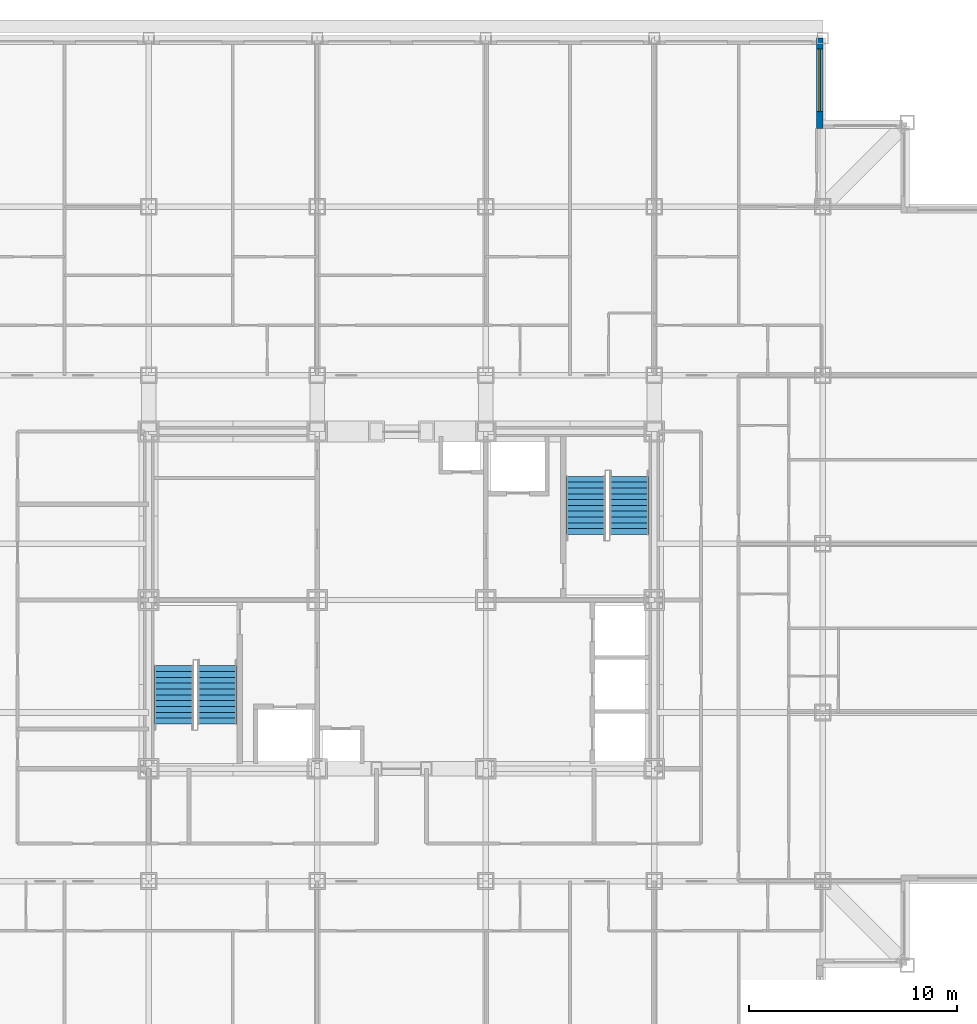
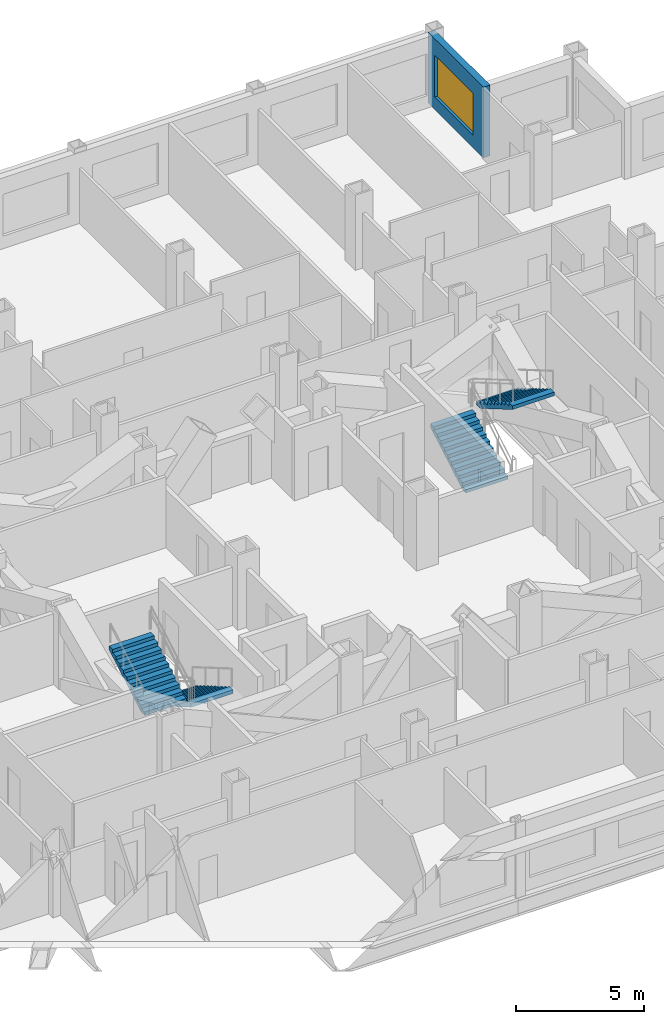
# One storey, part 11 of 12: 4 stair flights, 1 wall, 1 window, 1 opening, 2 elements without a shape of their own.
"""IFC4 building model written with IfcOpenShell, lengths in metres."""

from ifc_helpers import new_model, si_unit, direction, frame, frame_2d, origin, place, context, subcontext, project, spatial, rectangle, extrude, polygons, source, transform, mapped, material, layer, layer_set, type_object, element, fill, aggregate, save


model = new_model("IFC4")

# Units and contexts
model_context = context("Model", 3, precision=1e-05, world=origin(), true_north=direction((0.0, 1.0)))
body_context = subcontext(model_context, "Body", "Model", "MODEL_VIEW")
ifc_project = project(units=[si_unit("LENGTHUNIT", "METRE"), si_unit("AREAUNIT", "SQUARE_METRE"), si_unit("VOLUMEUNIT", "CUBIC_METRE"), si_unit("PLANEANGLEUNIT", "RADIAN"), si_unit("MASSUNIT", "GRAM", prefix="KILO")], contexts=[model_context])

# Site, building, storey
site_placement = place(None, origin())
site = spatial("IfcSite", under=ifc_project, at=site_placement, CompositionType="ELEMENT")
building_placement = place(site_placement, origin())
building = spatial("IfcBuilding", under=site, at=building_placement, Name="Kopane Lantern Tower", CompositionType="ELEMENT")
storey_placement = place(building_placement, frame((0.0, 0.0, 224.39990234375)))
storey = spatial("IfcBuildingStorey", under=building, at=storey_placement, Name="L58", CompositionType="ELEMENT", Elevation=224.39990234375)

# Wall, opening, window
ifc_material_1 = material(Name="Terracotta rainscreen on light steel framing", Category="masonry")
ifc_layer = layer(ifc_material_1, 0.300048828125)
ifc_layer_set = layer_set([ifc_layer], Name="EXTERNAL WALL EW1 300 TERRACOTTA")
wall_type = type_object("IfcWallType", Name="EXTERNAL WALL EW1 300 TERRACOTTA", PredefinedType="SOLIDWALL", material=ifc_layer_set)
wall_placement = place(storey_placement, frame((48.449951171875, 55.050048828125, 0.0), z_axis=(0.0, 0.0, 1.0), x_axis=(0.0, 1.0, 0.0)))
wall = element("IfcWall", 1, at=wall_placement, inside=storey, type_object=wall_type, Name="External wall E L58", PredefinedType="SOLIDWALL", context=body_context, shape_type="SweptSolid", body=[
    extrude(rectangle(XDim=4.349853515625, YDim=0.300048828125, at=frame_2d((2.1748046875, 0.0))), origin(), (0.0, 0.0, 1.0), 3.39013671875),
])
opening_placement = place(wall_placement, frame((0.824951171875, 0.0, 0.60009765625)))
opening = element("IfcOpeningElement", 2, at=opening_placement, cuts=wall, Name="Opening WR300200", PredefinedType="OPENING", context=body_context, shape_type="SweptSolid", body=[
    extrude(rectangle(XDim=3.0, YDim=2.0, at=frame_2d((1.5, 1.0))), frame((0.0, 0.159912109375, 0.0), z_axis=(0.0, -1.0, 0.0), x_axis=(1.0, 0.0, 0.0)), (0.0, 0.0, 1.0), 0.320068359375),
])
ifc_material_2 = material(Name="Aluminium and clear glass", Category="aluminium")
window_type = type_object("IfcWindowType", Name="RIBBON WINDOW WR300200 3000x2000", PartitioningType="SINGLE_PANEL", PredefinedType="WINDOW", material=ifc_material_2)
window_placement = place(opening_placement, origin())
window = element("IfcWindow", 3, at=window_placement, inside=storey, type_object=window_type, Name="Window E L58", OverallHeight=2.0, OverallWidth=3.0, PartitioningType="SINGLE_PANEL", PredefinedType="WINDOW", context=body_context, shape_type="SweptSolid", body=[
    extrude(rectangle(XDim=3.0, YDim=2.0, at=frame_2d((1.5, 1.0))), frame((0.0, 0.030029296875, 0.0), z_axis=(0.0, -1.0, 0.0), x_axis=(1.0, 0.0, 0.0)), (0.0, 0.0, 1.0), 0.06005859375),
])
fill(opening, window)

# Stair, stair flights
ifc_material_3 = material(Name="Steel S355JR", Category="steel")
stair_type = type_object("IfcStairType", Name="EXIT STAIR 1900 HALF TURN", PredefinedType="HALF_TURN_STAIR", material=ifc_material_3)
stair_1_placement = place(storey_placement, origin())
stair_1 = element("IfcStair", 4, at=stair_1_placement, inside=storey, type_object=stair_type, Name="Exit stair ST1 L58", PredefinedType="HALF_TURN_STAIR")
ifc_material_4 = material(Name="Steel S355JR", Category="steel")
stair_flight_type = type_object("IfcStairFlightType", Name="STAIR FLIGHT 1900 STEEL", PredefinedType="STRAIGHT", material=ifc_material_4)
shared_shape = source(origin(), body_context, "Body", "Tessellation", [
    polygons([(2.800048828, 0.949951172, 1.636474609), (2.520019531, 0.949951172, 1.636474609), (2.520019531, -0.949951172, 1.636474609), (2.800048828, -0.949951172, 1.636474609), (0.297119141, 0.949951172, 0.0), (2.800048828, 0.949951172, 1.462646484), (2.800048828, -0.949951172, 1.462646484), (0.297119141, -0.949951172, 0.0), (0.0, 0.949951172, 0.0), (0.0, -0.949951172, 0.0), (0.280029297, 0.949951172, 0.163574219), (0.0, 0.949951172, 0.163574219), (0.0, -0.949951172, 0.163574219), (0.280029297, -0.949951172, 0.163574219), (0.280029297, 0.949951172, 0.327392578), (0.280029297, -0.949951172, 0.327392578), (0.560058594, 0.949951172, 0.327392578), (0.560058594, -0.949951172, 0.327392578), (0.560058594, 0.949951172, 0.490966797), (0.560058594, -0.949951172, 0.490966797), (0.840087891, 0.949951172, 0.490966797), (0.840087891, -0.949951172, 0.490966797), (0.840087891, 0.949951172, 0.654541016), (0.840087891, -0.949951172, 0.654541016), (1.120117188, 0.949951172, 0.654541016), (1.120117188, -0.949951172, 0.654541016), (1.120117188, 0.949951172, 0.818115234), (1.120117188, -0.949951172, 0.818115234), (1.399902344, 0.949951172, 0.818115234), (1.399902344, -0.949951172, 0.818115234), (1.399902344, 0.949951172, 0.981933594), (1.399902344, -0.949951172, 0.981933594), (1.679931641, 0.949951172, 0.981933594), (1.679931641, -0.949951172, 0.981933594), (1.679931641, 0.949951172, 1.145507812), (1.679931641, -0.949951172, 1.145507812), (1.959960938, 0.949951172, 1.145507812), (1.959960938, -0.949951172, 1.145507812), (1.959960938, 0.949951172, 1.309082031), (1.959960938, -0.949951172, 1.309082031), (2.239990234, 0.949951172, 1.309082031), (2.239990234, -0.949951172, 1.309082031), (2.239990234, 0.949951172, 1.47265625), (2.239990234, -0.949951172, 1.47265625), (2.520019531, 0.949951172, 1.47265625), (2.520019531, -0.949951172, 1.47265625), (0.0, 0.0, 0.004420925), (0.0, 0.0, 0.00884185), (0.0, 0.0, 0.013262774), (0.0, 0.0, 0.017683699), (0.0, 0.0, 0.022104624), (0.0, 0.0, 0.026525549), (0.0, 0.0, 0.030946474), (0.0, 0.0, 0.035367399), (0.0, 0.0, 0.039788323), (0.0, 0.0, 0.044209248), (0.0, 0.0, 0.048630173), (0.0, 0.0, 0.053051098), (0.0, 0.0, 0.057472023), (0.0, 0.0, 0.061892948), (0.0, 0.0, 0.066313872), (0.0, 0.0, 0.070734797), (0.0, 0.0, 0.075155722), (0.0, 0.0, 0.079576647), (0.0, 0.0, 0.083997572), (0.0, 0.0, 0.088418497), (0.0, 0.0, 0.092839421), (0.0, 0.0, 0.097260346), (0.0, 0.0, 0.101681271), (0.0, 0.0, 0.106102196), (0.0, 0.0, 0.110523121), (0.0, 0.0, 0.114944046), (0.0, 0.0, 0.11936497), (0.0, 0.0, 0.123785895), (0.0, 0.0, 0.12820682), (0.0, 0.0, 0.132627745), (0.0, 0.0, 0.13704867), (0.0, 0.0, 0.141469595), (0.0, 0.0, 0.145890519), (0.0, 0.0, 0.150311444), (0.0, 0.0, 0.154732369), (0.0, 0.0, 0.159153294), (2.800048828, 0.0, 1.467344542), (2.800048828, 0.0, 1.472042599), (2.800048828, 0.0, 1.476740657), (2.800048828, 0.0, 1.481438714), (2.800048828, 0.0, 1.486136772), (2.800048828, 0.0, 1.490834829), (2.800048828, 0.0, 1.495532886), (2.800048828, 0.0, 1.500230944), (2.800048828, 0.0, 1.504929001), (2.800048828, 0.0, 1.509627059), (2.800048828, 0.0, 1.514325116), (2.800048828, 0.0, 1.519023174), (2.800048828, 0.0, 1.523721231), (2.800048828, 0.0, 1.528419288), (2.800048828, 0.0, 1.533117346), (2.800048828, 0.0, 1.537815403), (2.800048828, 0.0, 1.542513461), (2.800048828, 0.0, 1.547211518), (2.800048828, 0.0, 1.551909576), (2.800048828, 0.0, 1.556607633), (2.800048828, 0.0, 1.56130569), (2.800048828, 0.0, 1.566003748), (2.800048828, 0.0, 1.570701805), (2.800048828, 0.0, 1.575399863), (2.800048828, 0.0, 1.58009792), (2.800048828, 0.0, 1.584795978), (2.800048828, 0.0, 1.589494035), (2.800048828, 0.0, 1.594192092), (2.800048828, 0.0, 1.59889015), (2.800048828, 0.0, 1.603588207), (2.800048828, 0.0, 1.608286265), (2.800048828, 0.0, 1.612984322), (2.800048828, 0.0, 1.61768238), (2.800048828, 0.0, 1.622380437), (2.800048828, 0.0, 1.627078495), (2.800048828, 0.0, 1.631776552)], [[[1, 2, 3]], [[1, 3, 4]], [[5, 6, 7]], [[5, 7, 8]], [[9, 5, 8]], [[9, 8, 10]], [[11, 12, 13]], [[11, 13, 14]], [[15, 11, 14]], [[15, 14, 16]], [[17, 15, 16]], [[17, 16, 18]], [[19, 17, 18]], [[19, 18, 20]], [[21, 19, 20]], [[21, 20, 22]], [[23, 21, 22]], [[23, 22, 24]], [[25, 23, 24]], [[25, 24, 26]], [[27, 25, 26]], [[27, 26, 28]], [[29, 27, 28]], [[29, 28, 30]], [[31, 29, 30]], [[31, 30, 32]], [[33, 31, 32]], [[33, 32, 34]], [[35, 33, 34]], [[35, 34, 36]], [[37, 35, 36]], [[37, 36, 38]], [[39, 37, 38]], [[39, 38, 40]], [[41, 39, 40]], [[41, 40, 42]], [[43, 41, 42]], [[43, 42, 44]], [[45, 43, 44]], [[45, 44, 46]], [[2, 45, 46]], [[2, 46, 3]], [[45, 1, 6]], [[41, 45, 6]], [[2, 1, 45]], [[37, 41, 6]], [[43, 45, 41]], [[39, 41, 37]], [[35, 37, 33]], [[31, 33, 29]], [[27, 29, 25]], [[5, 21, 25]], [[17, 21, 5]], [[23, 25, 21]], [[11, 17, 5]], [[19, 21, 17]], [[9, 11, 5]], [[15, 17, 11]], [[12, 11, 9]], [[6, 5, 25]], [[6, 25, 29]], [[6, 29, 33]], [[6, 33, 37]], [[7, 4, 46]], [[7, 46, 42]], [[46, 4, 3]], [[7, 42, 38]], [[42, 46, 44]], [[38, 42, 40]], [[34, 38, 36]], [[30, 34, 32]], [[26, 30, 28]], [[26, 22, 8]], [[8, 22, 18]], [[22, 26, 24]], [[8, 18, 14]], [[18, 22, 20]], [[8, 14, 10]], [[14, 18, 16]], [[10, 14, 13]], [[26, 8, 7]], [[30, 26, 7]], [[34, 30, 7]], [[38, 34, 7]], [[10, 47, 9]], [[10, 48, 47]], [[9, 47, 48]], [[10, 49, 48]], [[9, 48, 49]], [[10, 50, 49]], [[9, 49, 50]], [[10, 51, 50]], [[9, 50, 51]], [[10, 52, 51]], [[9, 51, 52]], [[10, 53, 52]], [[9, 52, 53]], [[10, 54, 53]], [[9, 53, 54]], [[10, 55, 54]], [[9, 54, 55]], [[10, 56, 55]], [[9, 55, 56]], [[10, 57, 56]], [[9, 56, 57]], [[10, 58, 57]], [[9, 57, 58]], [[10, 59, 58]], [[9, 58, 59]], [[10, 60, 59]], [[9, 59, 60]], [[10, 61, 60]], [[9, 60, 61]], [[10, 62, 61]], [[9, 61, 62]], [[10, 63, 62]], [[9, 62, 63]], [[10, 64, 63]], [[9, 63, 64]], [[10, 65, 64]], [[9, 64, 65]], [[10, 66, 65]], [[9, 65, 66]], [[10, 67, 66]], [[9, 66, 67]], [[10, 68, 67]], [[9, 67, 68]], [[10, 69, 68]], [[9, 68, 69]], [[10, 70, 69]], [[9, 69, 70]], [[10, 71, 70]], [[9, 70, 71]], [[10, 72, 71]], [[9, 71, 72]], [[10, 73, 72]], [[9, 72, 73]], [[10, 74, 73]], [[9, 73, 74]], [[10, 75, 74]], [[9, 74, 75]], [[10, 76, 75]], [[9, 75, 76]], [[10, 77, 76]], [[9, 76, 77]], [[10, 78, 77]], [[9, 77, 78]], [[10, 79, 78]], [[9, 78, 79]], [[10, 80, 79]], [[9, 79, 80]], [[10, 81, 80]], [[9, 80, 81]], [[10, 82, 81]], [[9, 81, 82]], [[10, 13, 82]], [[82, 13, 12]], [[9, 82, 12]], [[7, 6, 83]], [[7, 83, 84]], [[6, 84, 83]], [[7, 84, 85]], [[6, 85, 84]], [[7, 85, 86]], [[6, 86, 85]], [[7, 86, 87]], [[6, 87, 86]], [[7, 87, 88]], [[6, 88, 87]], [[7, 88, 89]], [[6, 89, 88]], [[7, 89, 90]], [[6, 90, 89]], [[7, 90, 91]], [[6, 91, 90]], [[7, 91, 92]], [[6, 92, 91]], [[7, 92, 93]], [[6, 93, 92]], [[7, 93, 94]], [[6, 94, 93]], [[7, 94, 95]], [[6, 95, 94]], [[7, 95, 96]], [[6, 96, 95]], [[7, 96, 97]], [[6, 97, 96]], [[7, 97, 98]], [[6, 98, 97]], [[7, 98, 99]], [[6, 99, 98]], [[7, 99, 100]], [[6, 100, 99]], [[7, 100, 101]], [[6, 101, 100]], [[7, 101, 102]], [[6, 102, 101]], [[7, 102, 103]], [[6, 103, 102]], [[7, 103, 104]], [[6, 104, 103]], [[7, 104, 105]], [[6, 105, 104]], [[7, 105, 106]], [[6, 106, 105]], [[7, 106, 107]], [[6, 107, 106]], [[7, 107, 108]], [[6, 108, 107]], [[7, 108, 109]], [[6, 109, 108]], [[7, 109, 110]], [[6, 110, 109]], [[7, 110, 111]], [[6, 111, 110]], [[7, 111, 112]], [[6, 112, 111]], [[7, 112, 113]], [[6, 113, 112]], [[7, 113, 114]], [[6, 114, 113]], [[7, 114, 115]], [[6, 115, 114]], [[7, 115, 116]], [[6, 116, 115]], [[7, 116, 117]], [[6, 117, 116]], [[7, 117, 118]], [[6, 118, 117]], [[7, 118, 4]], [[118, 1, 4]], [[6, 1, 118]]], closed=True),
])
stair_flight_1_placement = place(storey_placement, frame((19.5, 29.25, 0.0), z_axis=(0.0, 0.0, 1.0), x_axis=(0.0, -1.0, 0.0)))
stair_flight_1 = element("IfcStairFlight", 5, at=stair_flight_1_placement, type_object=stair_flight_type, Name="ST1 flight 1", NumberOfRisers=11, NumberOfTreads=10, PredefinedType="STRAIGHT", RiserHeight=0.163636364, TreadLength=0.28, context=body_context, shape_type="MappedRepresentation", body=[
    mapped(shared_shape, transform((0.0, 0.0, 0.0))),
])
stair_flight_2_placement = place(storey_placement, frame((17.39990234375, 26.449951171875, 1.800048828125), z_axis=(0.0, 0.0, 1.0), x_axis=(0.0, 1.0, 0.0)))
stair_flight_2 = element("IfcStairFlight", 6, at=stair_flight_2_placement, type_object=stair_flight_type, Name="ST1 flight 2", NumberOfRisers=11, NumberOfTreads=10, PredefinedType="STRAIGHT", RiserHeight=0.163636364, TreadLength=0.28, context=body_context, shape_type="MappedRepresentation", body=[
    mapped(shared_shape, transform((0.0, 0.0, 0.0))),
])
aggregate(stair_1, [stair_flight_1, stair_flight_2])

stair_2_placement = place(storey_placement, origin())
stair_2 = element("IfcStair", 7, at=stair_2_placement, inside=storey, type_object=stair_type, Name="Exit stair ST2 L58", PredefinedType="HALF_TURN_STAIR")
stair_flight_3_placement = place(storey_placement, frame((37.199951171875, 35.550048828125, 0.0), z_axis=(0.0, 0.0, 1.0), x_axis=(0.0, 1.0, 0.0)))
stair_flight_3 = element("IfcStairFlight", 8, at=stair_flight_3_placement, type_object=stair_flight_type, Name="ST2 flight 1", NumberOfRisers=11, NumberOfTreads=10, PredefinedType="STRAIGHT", RiserHeight=0.163636364, TreadLength=0.28, context=body_context, shape_type="MappedRepresentation", body=[
    mapped(shared_shape, transform((0.0, 0.0, 0.0))),
])
stair_flight_4_placement = place(storey_placement, frame((39.300048828125, 38.35009765625, 1.800048828125), z_axis=(0.0, 0.0, 1.0), x_axis=(0.0, -1.0, 0.0)))
stair_flight_4 = element("IfcStairFlight", 9, at=stair_flight_4_placement, type_object=stair_flight_type, Name="ST2 flight 2", NumberOfRisers=11, NumberOfTreads=10, PredefinedType="STRAIGHT", RiserHeight=0.163636364, TreadLength=0.28, context=body_context, shape_type="MappedRepresentation", body=[
    mapped(shared_shape, transform((0.0, 0.0, 0.0))),
])
aggregate(stair_2, [stair_flight_3, stair_flight_4])

save(model, "model.ifc")
